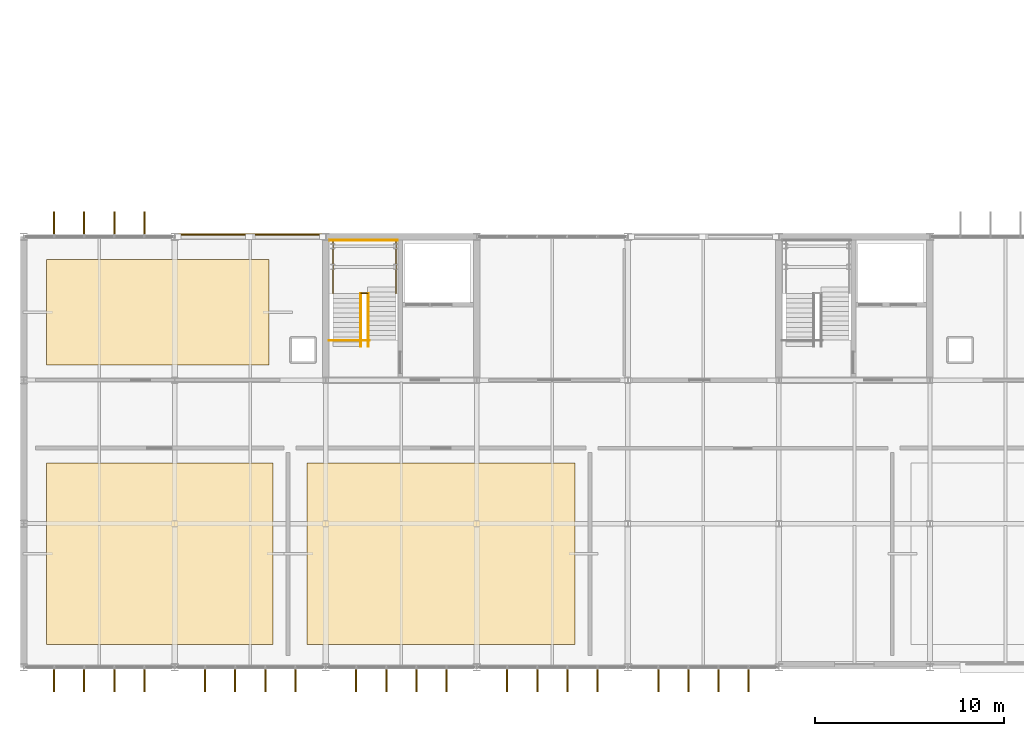
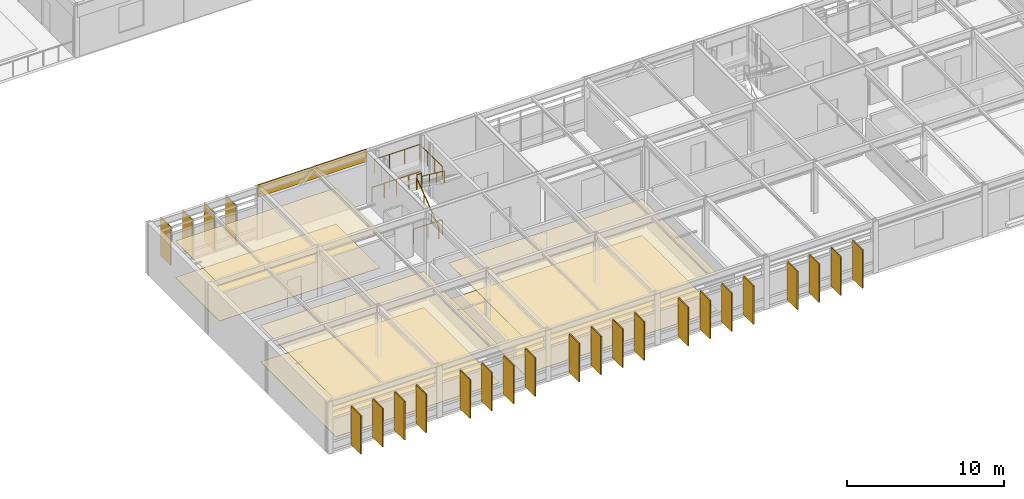
# One storey, part 79 of 85: 24 shading devices, 7 coverings, 6 railings.
"""IFC4 building model written with IfcOpenShell, lengths in metres."""

from ifc_helpers import new_model, si_unit, direction, frame, origin, origin_2d, place, context, subcontext, project, spatial, polyline, rectangle, circle, outline, extrude, material, layer, layer_set, type_object, element, save


model = new_model("IFC4")

# Units and contexts
model_context = context("Model", 3, precision=1e-05, world=origin(), true_north=direction((0.0, 1.0)))
body_context = subcontext(model_context, "Body", "Model", "MODEL_VIEW")
ifc_project = project(units=[si_unit("LENGTHUNIT", "METRE"), si_unit("AREAUNIT", "SQUARE_METRE"), si_unit("VOLUMEUNIT", "CUBIC_METRE"), si_unit("PLANEANGLEUNIT", "RADIAN"), si_unit("MASSUNIT", "GRAM", prefix="KILO")], contexts=[model_context])

# Site, building, storey
site_placement = place(None, origin())
site = spatial("IfcSite", under=ifc_project, at=site_placement, CompositionType="ELEMENT")
building_placement = place(site_placement, origin())
building = spatial("IfcBuilding", under=site, at=building_placement, Name="Zulena Civic Courthouse", CompositionType="ELEMENT")
storey_placement = place(building_placement, frame((0.0, 0.0, 25.199951171875)))
storey = spatial("IfcBuildingStorey", under=building, at=storey_placement, Name="L05", CompositionType="ELEMENT", Elevation=25.199951171875)

# Coverings
ifc_material_1 = material(Name="Perforated acoustic mineral-fibre ceiling tile", Category="concrete")
ifc_layer_1 = layer(ifc_material_1, 0.02490234375)
ifc_layer_set_1 = layer_set([ifc_layer_1], Name="Perforated acoustic mineral-fibre ceiling tile")
covering_type_1 = type_object("IfcCoveringType", Name="AcousticCeiling_25", PredefinedType="CEILING", material=ifc_layer_set_1)
covering_1_placement = place(storey_placement, frame((0.0, 0.0, 2.820068359375)))
element("IfcCovering", 1, at=covering_1_placement, inside=storey, type_object=covering_type_1, Name="ceil:L05:332", PredefinedType="CEILING", context=body_context, shape_type="SweptSolid", body=[
    extrude(outline(polyline([(5.199951171875, 1.199951171875), (17.199951171875, 1.199951171875), (17.199951171875, 10.800048828125), (5.199951171875, 10.800048828125), (5.199951171875, 1.199951171875)])), origin(), (0.0, 0.0, 1.0), 0.02490234375),
])
covering_2_placement = place(storey_placement, frame((0.0, 0.0, 2.820068359375)))
element("IfcCovering", 2, at=covering_2_placement, inside=storey, type_object=covering_type_1, Name="ceil:L05:333", PredefinedType="CEILING", context=body_context, shape_type="SweptSolid", body=[
    extrude(outline(polyline([(19.0, 1.199951171875), (33.199951171875, 1.199951171875), (33.199951171875, 10.800048828125), (19.0, 10.800048828125), (19.0, 1.199951171875)])), origin(), (0.0, 0.0, 1.0), 0.02490234375),
])
covering_3_placement = place(storey_placement, frame((0.0, 0.0, 2.820068359375)))
element("IfcCovering", 3, at=covering_3_placement, inside=storey, type_object=covering_type_1, Name="ceil:L05:336", PredefinedType="CEILING", context=body_context, shape_type="SweptSolid", body=[
    extrude(outline(polyline([(5.199951171875, 16.0), (17.0, 16.0), (17.0, 21.60009765625), (5.199951171875, 21.60009765625), (5.199951171875, 16.0)])), origin(), (0.0, 0.0, 1.0), 0.02490234375),
])

# Shading devices
ifc_material_2 = material(Name="Gold anodised architectural aluminium AA6063-T6", Category="aluminium")
shading_device_type = type_object("IfcShadingDeviceType", Name="GoldSolarFin_300", PredefinedType="USERDEFINED", material=ifc_material_2)
for number, where, z_axis, x_axis, name in (
    (4, (5.61083984375, 23.485107421875, 0.05029296875), (0.0, 0.0, 1.0), (0.0, 1.0, 0.0), "fin:V2:L05:1:0:1"),
    (5, (7.20361328125, 23.485107421875, 0.05029296875), (0.0, 0.0, 1.0), (0.0, 1.0, 0.0), "fin:V2:L05:1:0:2"),
    (6, (8.79638671875, 23.485107421875, 0.05029296875), (0.0, 0.0, 1.0), (0.0, 1.0, 0.0), "fin:V2:L05:1:0:3"),
    (7, (10.38916015625, 23.485107421875, 0.05029296875), (0.0, 0.0, 1.0), (0.0, 1.0, 0.0), "fin:V2:L05:1:0:4"),
    (8, (42.38916015625, -0.68505859375, 0.05029296875), (0.0, 0.0, 1.0), (0.0, -1.0, 0.0), "fin:V2:L05:3:3:1"),
    (9, (40.79638671875, -0.68505859375, 0.05029296875), (0.0, 0.0, 1.0), (0.0, -1.0, 0.0), "fin:V2:L05:3:3:2"),
    (10, (39.20361328125, -0.68505859375, 0.05029296875), (0.0, 0.0, 1.0), (0.0, -1.0, 0.0), "fin:V2:L05:3:3:3"),
    (11, (37.61083984375, -0.68505859375, 0.05029296875), (0.0, 0.0, 1.0), (0.0, -1.0, 0.0), "fin:V2:L05:3:3:4"),
    (12, (34.38916015625, -0.68505859375, 0.05029296875), (0.0, 0.0, 1.0), (0.0, -1.0, 0.0), "fin:V2:L05:3:4:1"),
    (13, (32.79638671875, -0.68505859375, 0.05029296875), (0.0, 0.0, 1.0), (0.0, -1.0, 0.0), "fin:V2:L05:3:4:2"),
    (14, (31.20361328125, -0.68505859375, 0.05029296875), (0.0, 0.0, 1.0), (0.0, -1.0, 0.0), "fin:V2:L05:3:4:3"),
    (15, (29.61083984375, -0.68505859375, 0.05029296875), (0.0, 0.0, 1.0), (0.0, -1.0, 0.0), "fin:V2:L05:3:4:4"),
    (16, (26.38916015625, -0.68505859375, 0.05029296875), (0.0, 0.0, 1.0), (0.0, -1.0, 0.0), "fin:V2:L05:3:5:1"),
    (17, (24.79638671875, -0.68505859375, 0.05029296875), (0.0, 0.0, 1.0), (0.0, -1.0, 0.0), "fin:V2:L05:3:5:2"),
    (18, (23.20361328125, -0.68505859375, 0.05029296875), (0.0, 0.0, 1.0), (0.0, -1.0, 0.0), "fin:V2:L05:3:5:3"),
    (19, (21.61083984375, -0.68505859375, 0.05029296875), (0.0, 0.0, 1.0), (0.0, -1.0, 0.0), "fin:V2:L05:3:5:4"),
    (20, (18.38916015625, -0.68505859375, 0.05029296875), (0.0, 0.0, 1.0), (0.0, -1.0, 0.0), "fin:V2:L05:3:6:1"),
    (21, (16.79638671875, -0.68505859375, 0.05029296875), (0.0, 0.0, 1.0), (0.0, -1.0, 0.0), "fin:V2:L05:3:6:2"),
    (22, (15.20361328125, -0.68505859375, 0.05029296875), (0.0, 0.0, 1.0), (0.0, -1.0, 0.0), "fin:V2:L05:3:6:3"),
    (23, (13.61083984375, -0.68505859375, 0.05029296875), (0.0, 0.0, 1.0), (0.0, -1.0, 0.0), "fin:V2:L05:3:6:4"),
    (24, (10.38916015625, -0.68505859375, 0.05029296875), (0.0, 0.0, 1.0), (0.0, -1.0, 0.0), "fin:V2:L05:3:7:1"),
    (25, (8.79638671875, -0.68505859375, 0.05029296875), (0.0, 0.0, 1.0), (0.0, -1.0, 0.0), "fin:V2:L05:3:7:2"),
    (26, (7.20361328125, -0.68505859375, 0.05029296875), (0.0, 0.0, 1.0), (0.0, -1.0, 0.0), "fin:V2:L05:3:7:3"),
    (27, (5.61083984375, -0.68505859375, 0.05029296875), (0.0, 0.0, 1.0), (0.0, -1.0, 0.0), "fin:V2:L05:3:7:4"),
):
    element("IfcShadingDevice", number, at=place(storey_placement, frame(where, z_axis=z_axis, x_axis=x_axis)), inside=storey, type_object=shading_device_type, Name=name, ObjectType="FIN", PredefinedType="USERDEFINED", context=body_context, shape_type="SweptSolid", body=[
        extrude(rectangle(XDim=1.25, YDim=0.080078125, at=origin_2d()), origin(), (0.0, 0.0, 1.0), 2.989990234375),
    ])

# Railings
ifc_material_3 = material(Name="Brushed architectural steel ASTM A36", Category="steel")
railing_type_1 = type_object("IfcRailingType", Name="InteriorGuardrail_1150", PredefinedType="GUARDRAIL", material=ifc_material_3)
railing_1_placement = place(storey_placement, frame((20.199951171875, 22.610107421875, 0.0)))
element("IfcRailing", 28, at=railing_1_placement, inside=storey, type_object=railing_type_1, Name="gr:wellN:K2A:L04", PredefinedType="GUARDRAIL", context=body_context, shape_type="SweptSolid", body=[
    extrude(circle(Radius=0.02392578125, at=origin_2d()), frame((0.00390625, 0.0, 1.1259765625), z_axis=(1.0, 0.0, 0.0), x_axis=(0.0, 1.0, 0.0)), (0.0, 0.0, 1.0), 3.592041015625),
    extrude(circle(Radius=0.02099609375, at=origin_2d()), origin(), (0.0, 0.0, 1.0), 1.097900390625),
    extrude(circle(Radius=0.02099609375, at=origin_2d()), frame((0.89990234375, 0.0, 0.0)), (0.0, 0.0, 1.0), 1.097900390625),
    extrude(circle(Radius=0.02099609375, at=origin_2d()), frame((1.800048828125, 0.0, 0.0)), (0.0, 0.0, 1.0), 1.097900390625),
    extrude(circle(Radius=0.02099609375, at=origin_2d()), frame((2.7001953125, 0.0, 0.0)), (0.0, 0.0, 1.0), 1.097900390625),
    extrude(circle(Radius=0.02099609375, at=origin_2d()), frame((3.60009765625, 0.0, 0.0)), (0.0, 0.0, 1.0), 1.097900390625),
])
railing_2_placement = place(storey_placement, frame((20.179931640625, 17.300048828125, 0.0)))
element("IfcRailing", 29, at=railing_2_placement, inside=storey, type_object=railing_type_1, Name="gr:wells:K2A:L05", PredefinedType="GUARDRAIL", context=body_context, shape_type="SweptSolid", body=[
    extrude(circle(Radius=0.02392578125, at=origin_2d()), frame((0.00390625, 0.0, 1.1259765625), z_axis=(1.0, 0.0, 0.0), x_axis=(0.0, 1.0, 0.0)), (0.0, 0.0, 1.0), 2.112060546875),
    extrude(circle(Radius=0.02099609375, at=origin_2d()), origin(), (0.0, 0.0, 1.0), 1.097900390625),
    extrude(circle(Radius=0.02099609375, at=origin_2d()), frame((1.06005859375, 0.0, 0.0)), (0.0, 0.0, 1.0), 1.097900390625),
    extrude(circle(Radius=0.02099609375, at=origin_2d()), frame((2.1201171875, 0.0, 0.0)), (0.0, 0.0, 1.0), 1.097900390625),
])
railing_3_placement = place(storey_placement, frame((20.3798828125, 19.78466796875, 2.10009765625)))
element("IfcRailing", 30, at=railing_3_placement, inside=storey, type_object=railing_type_1, Name="gr:lnd:K2A:L05", PredefinedType="GUARDRAIL", context=body_context, shape_type="SweptSolid", body=[
    extrude(circle(Radius=0.02392578125, at=origin_2d()), frame((0.0, 0.00390625, 1.1259765625), z_axis=(0.0, 1.0, 0.0), x_axis=(-1.0, 0.0, 0.0)), (0.0, 0.0, 1.0), 2.827392578125),
    extrude(circle(Radius=0.02392578125, at=origin_2d()), frame((0.00390625, 2.83544921875, 1.1259765625), z_axis=(1.0, 0.0, 0.0), x_axis=(0.0, 1.0, 0.0)), (0.0, 0.0, 1.0), 3.33203125),
    extrude(circle(Radius=0.02392578125, at=origin_2d()), frame((3.340087890625, 2.83154296875, 1.1259765625), z_axis=(0.0, -1.0, 0.0), x_axis=(1.0, 0.0, 0.0)), (0.0, 0.0, 1.0), 2.827392578125),
    extrude(circle(Radius=0.02099609375, at=origin_2d()), origin(), (0.0, 0.0, 1.0), 1.097900390625),
    extrude(circle(Radius=0.02099609375, at=origin_2d()), frame((0.0, 0.945068359375, 0.0)), (0.0, 0.0, 1.0), 1.097900390625),
    extrude(circle(Radius=0.02099609375, at=origin_2d()), frame((0.0, 1.890380859375, 0.0)), (0.0, 0.0, 1.0), 1.097900390625),
    extrude(circle(Radius=0.02099609375, at=origin_2d()), frame((0.0, 2.83544921875, 0.0)), (0.0, 0.0, 1.0), 1.097900390625),
    extrude(circle(Radius=0.02099609375, at=origin_2d()), frame((1.11328125, 2.83544921875, 0.0)), (0.0, 0.0, 1.0), 1.097900390625),
    extrude(circle(Radius=0.02099609375, at=origin_2d()), frame((2.226806640625, 2.83544921875, 0.0)), (0.0, 0.0, 1.0), 1.097900390625),
    extrude(circle(Radius=0.02099609375, at=origin_2d()), frame((3.340087890625, 2.83544921875, 0.0)), (0.0, 0.0, 1.0), 1.097900390625),
    extrude(circle(Radius=0.02099609375, at=origin_2d()), frame((3.340087890625, 1.890380859375, 0.0)), (0.0, 0.0, 1.0), 1.097900390625),
    extrude(circle(Radius=0.02099609375, at=origin_2d()), frame((3.340087890625, 0.945068359375, 0.0)), (0.0, 0.0, 1.0), 1.097900390625),
    extrude(circle(Radius=0.02099609375, at=origin_2d()), frame((3.340087890625, 0.0, 0.0)), (0.0, 0.0, 1.0), 1.097900390625),
])
railing_4_placement = place(storey_placement, frame((21.8798828125, 19.804931640625, 2.10009765625)))
element("IfcRailing", 31, at=railing_4_placement, inside=storey, type_object=railing_type_1, Name="gr:lndslot:K2A:L05", PredefinedType="GUARDRAIL", context=body_context, shape_type="SweptSolid", body=[
    extrude(circle(Radius=0.02392578125, at=origin_2d()), frame((0.00390625, 0.0, 1.1259765625), z_axis=(1.0, 0.0, 0.0), x_axis=(0.0, 1.0, 0.0)), (0.0, 0.0, 1.0), 0.33203125),
    extrude(circle(Radius=0.02099609375, at=origin_2d()), origin(), (0.0, 0.0, 1.0), 1.097900390625),
    extrude(circle(Radius=0.02099609375, at=origin_2d()), frame((0.340087890625, 0.0, 0.0)), (0.0, 0.0, 1.0), 1.097900390625),
])

# Covering
ifc_material_4 = material(Name="White architectural precast concrete C40/50", Category="concrete")
ifc_layer_2 = layer(ifc_material_4, 0.0849609375)
ifc_layer_set_2 = layer_set([ifc_layer_2], Name="White architectural precast concrete C40/50")
covering_type_2 = type_object("IfcCoveringType", Name="PrecastSpandrelCladding_85", PredefinedType="CLADDING", material=ifc_layer_set_2)
covering_4_placement = place(storey_placement, frame((16.0, 22.919921875, 3.06005859375), z_axis=(0.0, 0.0, 1.0), x_axis=(1.0, 0.0, 0.0)))
element("IfcCovering", 32, at=covering_4_placement, inside=storey, type_object=covering_type_2, Name="clad:sp:V2:L05:1:1", PredefinedType="CLADDING", context=body_context, shape_type="SweptSolid", body=[
    extrude(rectangle(XDim=7.9599609375, YDim=0.0849609375, at=origin_2d()), origin(), (0.0, 0.0, 1.0), 0.93994140625),
])

# Railings
railing_type_2 = type_object("IfcRailingType", Name="StairHandrail_920", PredefinedType="HANDRAIL", material=ifc_material_3)
railing_5_placement = place(storey_placement, frame((21.85009765625, 16.97998046875, 0.0)))
element("IfcRailing", 33, at=railing_5_placement, inside=storey, type_object=railing_type_2, Name="hr:K2A:L05:1", PredefinedType="HANDRAIL", context=body_context, shape_type="SweptSolid", body=[
    extrude(circle(Radius=0.02392578125, at=origin_2d()), frame((0.0, 0.003173828125, 0.898193359375), z_axis=(0.0, 0.800467996722, 0.599375496849), x_axis=(-1.0, 0.0, 0.0)), (0.0, 0.0, 1.0), 3.495849609375),
    extrude(circle(Radius=0.02099609375, at=origin_2d()), origin(), (0.0, 0.0, 1.0), 0.867919921875),
    extrude(circle(Radius=0.02099609375, at=origin_2d()), frame((0.0, 0.934814453125, 0.699951171875)), (0.0, 0.0, 1.0), 0.867919921875),
    extrude(circle(Radius=0.02099609375, at=origin_2d()), frame((0.0, 1.869873046875, 1.400146484375)), (0.0, 0.0, 1.0), 0.867919921875),
    extrude(circle(Radius=0.02099609375, at=origin_2d()), frame((0.0, 2.8046875, 2.10009765625)), (0.0, 0.0, 1.0), 0.867919921875),
])
railing_6_placement = place(storey_placement, frame((22.25, 19.78466796875, 2.10009765625)))
element("IfcRailing", 34, at=railing_6_placement, inside=storey, type_object=railing_type_2, Name="hr:K2A:L05:2", PredefinedType="HANDRAIL", context=body_context, shape_type="SweptSolid", body=[
    extrude(circle(Radius=0.02392578125, at=origin_2d()), frame((0.0, -0.003173828125, 0.898193359375), z_axis=(0.0, -0.800501427345, 0.599330847545), x_axis=(1.0, 0.0, 0.0)), (0.0, 0.0, 1.0), 3.49560546875),
    extrude(circle(Radius=0.02099609375, at=origin_2d()), origin(), (0.0, 0.0, 1.0), 0.867919921875),
    extrude(circle(Radius=0.02099609375, at=origin_2d()), frame((0.0, -0.934814453125, 0.699951171875)), (0.0, 0.0, 1.0), 0.867919921875),
    extrude(circle(Radius=0.02099609375, at=origin_2d()), frame((0.0, -1.869873046875, 1.39990234375)), (0.0, 0.0, 1.0), 0.867919921875),
    extrude(circle(Radius=0.02099609375, at=origin_2d()), frame((0.0, -2.8046875, 2.099853515625)), (0.0, 0.0, 1.0), 0.867919921875),
])

# Coverings
ifc_material_5 = material(Name="Honed travertine stone flooring", Category="masonry")
ifc_layer_3 = layer(ifc_material_5, 0.030029296875)
ifc_layer_set_3 = layer_set([ifc_layer_3], Name="Honed travertine stone flooring")
covering_type_3 = type_object("IfcCoveringType", Name="TravertineFlooring_30", PredefinedType="FLOORING", material=ifc_layer_set_3)
covering_5_placement = place(storey_placement, origin())
element("IfcCovering", 35, at=covering_5_placement, inside=storey, type_object=covering_type_3, Name="floor:L05:332", PredefinedType="FLOORING", context=body_context, shape_type="SweptSolid", body=[
    extrude(outline(polyline([(5.199951171875, 1.199951171875), (17.199951171875, 1.199951171875), (17.199951171875, 10.800048828125), (5.199951171875, 10.800048828125), (5.199951171875, 1.199951171875)])), origin(), (0.0, 0.0, 1.0), 0.030029296875),
])
covering_6_placement = place(storey_placement, origin())
element("IfcCovering", 36, at=covering_6_placement, inside=storey, type_object=covering_type_3, Name="floor:L05:333", PredefinedType="FLOORING", context=body_context, shape_type="SweptSolid", body=[
    extrude(outline(polyline([(19.0, 1.199951171875), (33.199951171875, 1.199951171875), (33.199951171875, 10.800048828125), (19.0, 10.800048828125), (19.0, 1.199951171875)])), origin(), (0.0, 0.0, 1.0), 0.030029296875),
])
covering_7_placement = place(storey_placement, origin())
element("IfcCovering", 37, at=covering_7_placement, inside=storey, type_object=covering_type_3, Name="floor:L05:336", PredefinedType="FLOORING", context=body_context, shape_type="SweptSolid", body=[
    extrude(outline(polyline([(5.199951171875, 16.0), (17.0, 16.0), (17.0, 21.60009765625), (5.199951171875, 21.60009765625), (5.199951171875, 16.0)])), origin(), (0.0, 0.0, 1.0), 0.030029296875),
])

save(model, "model.ifc")
